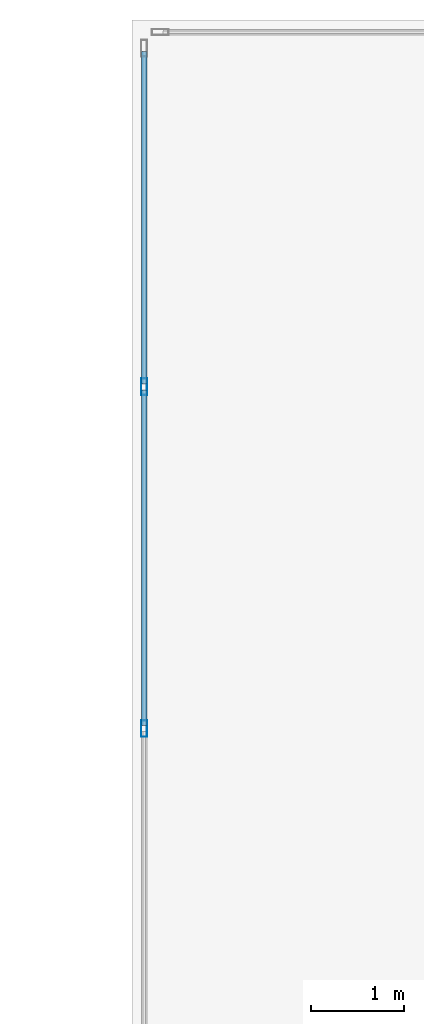
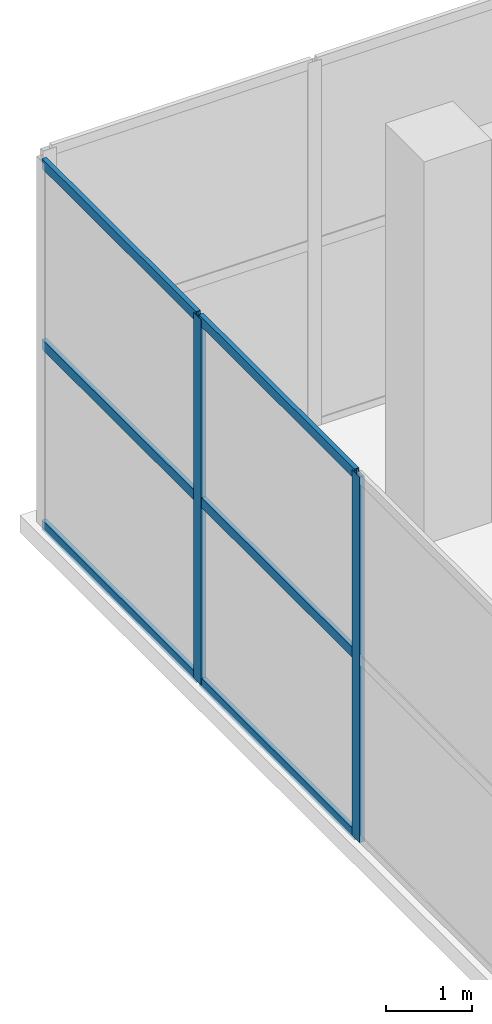
# One storey, part 14 of 37: 8 members, 1 element without a shape of its own.
"""IFC4 building model written with IfcOpenShell, lengths in metres."""

from ifc_helpers import new_model, si_unit, direction, frame, origin, origin_2d, place, context, subcontext, project, spatial, hollow_rectangle, extrude, material, layer, layer_set, material_profile, profile_set, type_object, element, aggregate, save


model = new_model("IFC4")

# Units and contexts
model_context = context("Model", 3, precision=1e-05, world=origin(), true_north=direction((0.0, 1.0)))
body_context = subcontext(model_context, "Body", "Model", "MODEL_VIEW")
ifc_project = project(units=[si_unit("LENGTHUNIT", "METRE"), si_unit("AREAUNIT", "SQUARE_METRE"), si_unit("VOLUMEUNIT", "CUBIC_METRE"), si_unit("PLANEANGLEUNIT", "RADIAN"), si_unit("MASSUNIT", "GRAM", prefix="KILO")], contexts=[model_context])

# Site, building, storey
site_placement = place(None, origin())
site = spatial("IfcSite", under=ifc_project, at=site_placement, CompositionType="ELEMENT")
building_placement = place(site_placement, origin())
building = spatial("IfcBuilding", under=site, at=building_placement, Name="Haolan Belvedere Tower", CompositionType="ELEMENT")
storey_placement = place(building_placement, frame((0.0, 0.0, 10.199951171875)))
storey = spatial("IfcBuildingStorey", under=building, at=storey_placement, Name="L02", CompositionType="ELEMENT", Elevation=10.199951171875)

# Curtain wall, members
ifc_material_1 = material(Name="Anodised champagne-silver aluminium 6063-T6 and Low-E glass", Category="aluminium")
ifc_layer = layer(ifc_material_1, 0.179931640625, Name="Anodised champagne-silver aluminium 6063-T6 and Low-E glass")
ifc_layer_set = layer_set([ifc_layer], Name="Anodised champagne-silver aluminium 6063-T6 and Low-E glass")
curtain_wall_type = type_object("IfcCurtainWallType", Name="CW-SYS-01", PredefinedType="NOTDEFINED", material=ifc_layer_set)
curtain_wall_placement = place(storey_placement, origin())
curtain_wall = element("IfcCurtainWall", 1, at=curtain_wall_placement, inside=storey, type_object=curtain_wall_type, Name="L02 CW-SYS-01 ribbon curtain wall 4.1", PredefinedType="NOTDEFINED")
ifc_material_2 = material(Name="Anodised aluminium 6063-T6", Category="aluminium")
ifc_material_profile_1 = material_profile(ifc_material_2, hollow_rectangle(XDim=0.06494140625, YDim=0.179931640625, WallThickness=0.00390625, at=origin_2d()), Name="Anodised aluminium 6063-T6")
ifc_profile_set_1 = profile_set([ifc_material_profile_1], Name="Anodised aluminium 6063-T6")
member_type_1 = type_object("IfcMemberType", Name="CW-SYS-01-MUL", PredefinedType="MULLION", material=ifc_profile_set_1)
member_1_placement = place(storey_placement, frame((2.530029296875, 50.068603515625, 0.0), z_axis=(0.0, 0.0, 1.0), x_axis=(1.0, 0.0, 0.0)))
member_1 = element("IfcMember", 2, at=member_1_placement, type_object=member_type_1, Name="CW-01 mullion 2", PredefinedType="MULLION", context=body_context, shape_type="SweptSolid", body=[
    extrude(hollow_rectangle(XDim=0.06494140625, YDim=0.179931640625, WallThickness=0.00390625, at=origin_2d()), origin(), (0.0, 0.0, 1.0), 5.16015625),
])
member_2_placement = place(storey_placement, frame((2.530029296875, 46.4072265625, 0.0), z_axis=(0.0, 0.0, 1.0), x_axis=(1.0, 0.0, 0.0)))
member_2 = element("IfcMember", 3, at=member_2_placement, type_object=member_type_1, Name="CW-01 mullion 3", PredefinedType="MULLION", context=body_context, shape_type="SweptSolid", body=[
    extrude(hollow_rectangle(XDim=0.06494140625, YDim=0.179931640625, WallThickness=0.00390625, at=origin_2d()), origin(), (0.0, 0.0, 1.0), 5.16015625),
])
ifc_material_profile_2 = material_profile(ifc_material_2, hollow_rectangle(XDim=0.06005859375, YDim=0.139892578125, WallThickness=0.00390625, at=origin_2d()), Name="Anodised aluminium 6063-T6")
ifc_profile_set_2 = profile_set([ifc_material_profile_2], Name="Anodised aluminium 6063-T6")
member_type_2 = type_object("IfcMemberType", Name="CW-SYS-01-TRN", PredefinedType="USERDEFINED", material=ifc_profile_set_2)
member_3_placement = place(storey_placement, frame((2.530029296875, 53.6650390625, 0.030029296875), z_axis=(0.0, -1.0, 0.0), x_axis=(1.0, 0.0, 0.0)))
member_3 = element("IfcMember", 4, at=member_3_placement, type_object=member_type_2, Name="CW-01 transom 1.1", ObjectType="TRANSOM", PredefinedType="USERDEFINED", context=body_context, shape_type="SweptSolid", body=[
    extrude(hollow_rectangle(XDim=0.06005859375, YDim=0.139892578125, WallThickness=0.00390625, at=origin_2d()), origin(), (0.0, 0.0, 1.0), 3.56396484375),
])
member_4_placement = place(storey_placement, frame((2.530029296875, 53.6650390625, 2.580078125), z_axis=(0.0, -1.0, 0.0), x_axis=(1.0, 0.0, 0.0)))
member_4 = element("IfcMember", 5, at=member_4_placement, type_object=member_type_2, Name="CW-01 transom 1.2", ObjectType="TRANSOM", PredefinedType="USERDEFINED", context=body_context, shape_type="SweptSolid", body=[
    extrude(hollow_rectangle(XDim=0.06005859375, YDim=0.139892578125, WallThickness=0.00390625, at=origin_2d()), origin(), (0.0, 0.0, 1.0), 3.56396484375),
])
member_5_placement = place(storey_placement, frame((2.530029296875, 53.6650390625, 5.130126953125), z_axis=(0.0, -1.0, 0.0), x_axis=(1.0, 0.0, 0.0)))
member_5 = element("IfcMember", 6, at=member_5_placement, type_object=member_type_2, Name="CW-01 transom 1.3", ObjectType="TRANSOM", PredefinedType="USERDEFINED", context=body_context, shape_type="SweptSolid", body=[
    extrude(hollow_rectangle(XDim=0.06005859375, YDim=0.139892578125, WallThickness=0.00390625, at=origin_2d()), origin(), (0.0, 0.0, 1.0), 3.56396484375),
])
member_6_placement = place(storey_placement, frame((2.530029296875, 50.0361328125, 0.030029296875), z_axis=(0.0, -1.0, 0.0), x_axis=(1.0, 0.0, 0.0)))
member_6 = element("IfcMember", 7, at=member_6_placement, type_object=member_type_2, Name="CW-01 transom 2.1", ObjectType="TRANSOM", PredefinedType="USERDEFINED", context=body_context, shape_type="SweptSolid", body=[
    extrude(hollow_rectangle(XDim=0.06005859375, YDim=0.139892578125, WallThickness=0.00390625, at=origin_2d()), origin(), (0.0, 0.0, 1.0), 3.596435546875),
])
member_7_placement = place(storey_placement, frame((2.530029296875, 50.0361328125, 2.580078125), z_axis=(0.0, -1.0, 0.0), x_axis=(1.0, 0.0, 0.0)))
member_7 = element("IfcMember", 8, at=member_7_placement, type_object=member_type_2, Name="CW-01 transom 2.2", ObjectType="TRANSOM", PredefinedType="USERDEFINED", context=body_context, shape_type="SweptSolid", body=[
    extrude(hollow_rectangle(XDim=0.06005859375, YDim=0.139892578125, WallThickness=0.00390625, at=origin_2d()), origin(), (0.0, 0.0, 1.0), 3.596435546875),
])
member_8_placement = place(storey_placement, frame((2.530029296875, 50.0361328125, 5.130126953125), z_axis=(0.0, -1.0, 0.0), x_axis=(1.0, 0.0, 0.0)))
member_8 = element("IfcMember", 9, at=member_8_placement, type_object=member_type_2, Name="CW-01 transom 2.3", ObjectType="TRANSOM", PredefinedType="USERDEFINED", context=body_context, shape_type="SweptSolid", body=[
    extrude(hollow_rectangle(XDim=0.06005859375, YDim=0.139892578125, WallThickness=0.00390625, at=origin_2d()), origin(), (0.0, 0.0, 1.0), 3.596435546875),
])
aggregate(curtain_wall, [member_1, member_2, member_3, member_4, member_5, member_6, member_7, member_8])

save(model, "model.ifc")
